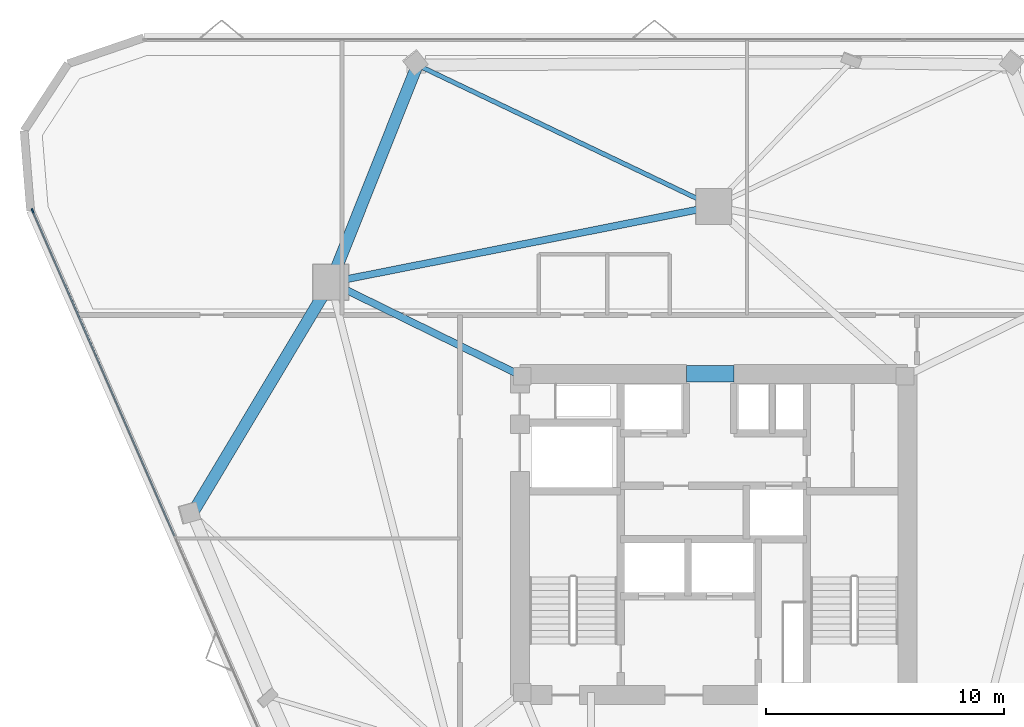
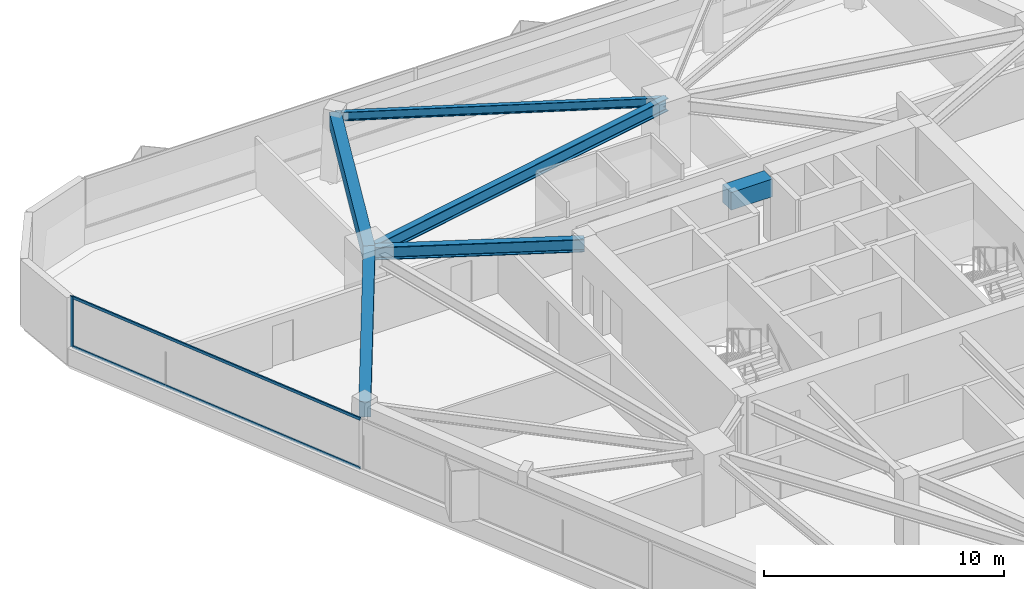
# One storey, part 5 of 16: 6 beams, 3 members, 1 element without a shape of its own.
"""IFC4 building model written with IfcOpenShell, lengths in metres."""

from ifc_helpers import new_model, si_unit, direction, frame, origin, origin_2d, place, context, subcontext, project, spatial, rectangle, i_section, extrude, material, layer, layer_set, material_profile, profile_set, type_object, element, aggregate, save


model = new_model("IFC4")

# Units and contexts
model_context = context("Model", 3, precision=1e-05, world=origin(), true_north=direction((0.0, 1.0)))
body_context = subcontext(model_context, "Body", "Model", "MODEL_VIEW")
ifc_project = project(units=[si_unit("LENGTHUNIT", "METRE"), si_unit("AREAUNIT", "SQUARE_METRE"), si_unit("VOLUMEUNIT", "CUBIC_METRE"), si_unit("PLANEANGLEUNIT", "RADIAN"), si_unit("MASSUNIT", "GRAM", prefix="KILO")], contexts=[model_context])

# Site, building, storey
site_placement = place(None, origin())
site = spatial("IfcSite", under=ifc_project, at=site_placement, CompositionType="ELEMENT")
building_placement = place(site_placement, origin())
building = spatial("IfcBuilding", under=site, at=building_placement, Name="Talyreon Biosciences Tower", CompositionType="ELEMENT")
storey_placement = place(building_placement, frame((0.0, 0.0, 134.5)))
storey = spatial("IfcBuildingStorey", under=building, at=storey_placement, Name="L35", CompositionType="ELEMENT", Elevation=134.5)

# Curtain wall, members
ifc_material_1 = material(Name="Thermally broken aluminium and low-E glazing", Category="aluminium")
ifc_layer = layer(ifc_material_1, 0.18505859375)
ifc_layer_set = layer_set([ifc_layer], Name="Thermally broken aluminium and low-E glazing")
curtain_wall_type = type_object("IfcCurtainWallType", Name="CurtainWall_Zone3Bioprocess", PredefinedType="NOTDEFINED", material=ifc_layer_set)
curtain_wall_placement = place(storey_placement, origin())
curtain_wall = element("IfcCurtainWall", 1, at=curtain_wall_placement, inside=storey, type_object=curtain_wall_type, Name="L35 Unitised Curtain Wall FCW-L35-00", PredefinedType="NOTDEFINED")
ifc_material_2 = material(Name="Anodised thermally broken aluminium", Category="aluminium")
ifc_material_profile_1 = material_profile(ifc_material_2, rectangle(XDim=0.06494140625, YDim=0.179931640625, at=origin_2d()), Name="ALUM MULLION 65x180")
ifc_profile_set_1 = profile_set([ifc_material_profile_1], Name="Anodised thermally broken aluminium")
member_type_1 = type_object("IfcMemberType", Name="CWMullion_65x180", PredefinedType="MULLION", material=ifc_profile_set_1)
member_1_placement = place(storey_placement, frame((37.362548828125, 81.609130859375, 0.81005859375), z_axis=(0.0, 0.0, 1.0), x_axis=(-0.916566441856, -0.399882429801, 0.0)))
member_1 = element("IfcMember", 2, at=member_1_placement, type_object=member_type_1, Name="CW4 mullion 5", PredefinedType="MULLION", context=body_context, shape_type="SweptSolid", body=[
    extrude(rectangle(XDim=0.06494140625, YDim=0.179931640625, at=origin_2d()), origin(), (0.0, 0.0, 1.0), 2.56494140625),
])
ifc_material_profile_2 = material_profile(ifc_material_2, rectangle(XDim=0.06494140625, YDim=0.139892578125, at=origin_2d()), Name="ALUM TRANSOM 65x140")
ifc_profile_set_2 = profile_set([ifc_material_profile_2], Name="Anodised thermally broken aluminium")
member_type_2 = type_object("IfcMemberType", Name="CWTransom_65x140", PredefinedType="USERDEFINED", material=ifc_profile_set_2)
member_2_placement = place(storey_placement, frame((43.325927734375, 67.940185546875, 0.842529296875), z_axis=(-0.39988306059, 0.916566166653, 0.0), x_axis=(-0.916566166653, -0.39988306059, 0.0)))
member_2 = element("IfcMember", 3, at=member_2_placement, type_object=member_type_2, Name="CW4 transom 4.1", ObjectType="TRANSOM", PredefinedType="USERDEFINED", context=body_context, shape_type="SweptSolid", body=[
    extrude(rectangle(XDim=0.06494140625, YDim=0.139892578125, at=origin_2d()), origin(), (0.0, 0.0, 1.0), 14.88037109375),
])
member_3_placement = place(storey_placement, frame((43.325927734375, 67.940185546875, 3.342529296875), z_axis=(-0.39988306059, 0.916566166653, 0.0), x_axis=(-0.916566166653, -0.39988306059, 0.0)))
member_3 = element("IfcMember", 4, at=member_3_placement, type_object=member_type_2, Name="CW4 transom 4.2", ObjectType="TRANSOM", PredefinedType="USERDEFINED", context=body_context, shape_type="SweptSolid", body=[
    extrude(rectangle(XDim=0.06494140625, YDim=0.139892578125, at=origin_2d()), origin(), (0.0, 0.0, 1.0), 14.88037109375),
])
aggregate(curtain_wall, [member_1, member_2, member_3])

# Beams
ifc_material_3 = material(Name="Concrete C60/75", Category="concrete")
ifc_material_profile_3 = material_profile(ifc_material_3, rectangle(XDim=0.699951171875, YDim=0.89990234375, at=origin_2d()), Name="RCB 700x900")
ifc_profile_set_3 = profile_set([ifc_material_profile_3], Name="Concrete C60/75")
beam_type_1 = type_object("IfcBeamType", Name="CoreCouplingLintel_700x900", PredefinedType="LINTEL", material=ifc_profile_set_3)
beam_1_placement = place(storey_placement, frame((64.85009765625, 74.75, 2.925048828125), z_axis=(1.0, 0.0, 0.0), x_axis=(0.0, 1.0, 0.0)))
element("IfcBeam", 5, at=beam_1_placement, inside=storey, type_object=beam_type_1, Name="L35 Core Coupling Lintel", PredefinedType="LINTEL", context=body_context, shape_type="SweptSolid", body=[
    extrude(rectangle(XDim=0.699951171875, YDim=0.89990234375, at=origin_2d()), origin(), (0.0, 0.0, 1.0), 2.0),
])
ifc_material_4 = material(Name="Precast concrete C45/55", Category="concrete")
ifc_material_profile_4 = material_profile(ifc_material_4, rectangle(XDim=0.5, YDim=0.780029296875, at=origin_2d()), Name="RCB 500x780")
ifc_profile_set_4 = profile_set([ifc_material_profile_4], Name="Precast concrete C45/55")
beam_type_2 = type_object("IfcBeamType", Name="ExpressedSpandrel_500x780", PredefinedType="SPANDREL", material=ifc_profile_set_4)
beam_2_placement = place(storey_placement, frame((53.5419921875, 87.736083984375, 2.985107421875), z_axis=(-0.370453406097, -0.928851050444, 0.0), x_axis=(0.928851050444, -0.370453406097, 0.0)))
element("IfcBeam", 6, at=beam_2_placement, inside=storey, type_object=beam_type_2, Name="L35 Expressed Horizontal Concrete Spandrel 08", PredefinedType="SPANDREL", context=body_context, shape_type="SweptSolid", body=[
    extrude(rectangle(XDim=0.5, YDim=0.780029296875, at=origin_2d()), origin(), (0.0, 0.0, 1.0), 9.83740234375),
])
beam_3_placement = place(storey_placement, frame((49.897705078125, 78.5986328125, 2.985107421875), z_axis=(-0.51390572923, -0.857846665474, 0.0), x_axis=(0.857846665474, -0.51390572923, 0.0)))
element("IfcBeam", 7, at=beam_3_placement, inside=storey, type_object=beam_type_2, Name="L35 Expressed Horizontal Concrete Spandrel 09", PredefinedType="SPANDREL", context=body_context, shape_type="SweptSolid", body=[
    extrude(rectangle(XDim=0.5, YDim=0.780029296875, at=origin_2d()), origin(), (0.0, 0.0, 1.0), 11.3203125),
])
ifc_material_5 = material(Name="Steel SM355", Category="steel")
ifc_material_profile_5 = material_profile(ifc_material_5, i_section(OverallWidth=0.300048828125, OverallDepth=0.64990234375, WebThickness=0.01611328125, FlangeThickness=0.031005859375, FilletRadius=0.027099609375, at=origin_2d()), Name="HE650B")
ifc_profile_set_5 = profile_set([ifc_material_profile_5], Name="Steel SM355")
beam_type_3 = type_object("IfcBeamType", Name="SteelBeam_HE650B", PredefinedType="BEAM", material=ifc_profile_set_5)
beam_4_placement = place(storey_placement, frame((66.0, 81.788818359375, 3.050048828125), z_axis=(-0.980933730698, -0.194342522311, 0.0), x_axis=(0.194342522311, -0.980933730698, 0.0)))
element("IfcBeam", 8, at=beam_4_placement, inside=storey, type_object=beam_type_3, Name="L35 Mega-Ring Girder 4", PredefinedType="BEAM", context=body_context, shape_type="SweptSolid", body=[
    extrude(i_section(OverallWidth=0.300048828125, OverallDepth=0.64990234375, WebThickness=0.01611328125, FlangeThickness=0.031005859375, FilletRadius=0.027099609375, at=origin_2d()), origin(), (0.0, 0.0, 1.0), 16.415283203125),
])
beam_5_placement = place(storey_placement, frame((57.949951171875, 74.64990234375, 3.050048828125), z_axis=(-0.897852360314, 0.440296648952, 0.0), x_axis=(-0.440296648952, -0.897852360314, 0.0)))
element("IfcBeam", 9, at=beam_5_placement, inside=storey, type_object=beam_type_3, Name="L35 Radial Primary Girder 5", PredefinedType="BEAM", context=body_context, shape_type="SweptSolid", body=[
    extrude(i_section(OverallWidth=0.300048828125, OverallDepth=0.64990234375, WebThickness=0.01611328125, FlangeThickness=0.031005859375, FilletRadius=0.027099609375, at=origin_2d()), origin(), (0.0, 0.0, 1.0), 8.96826171875),
])
ifc_material_profile_6 = material_profile(ifc_material_5, i_section(OverallWidth=0.18994140625, OverallDepth=0.449951171875, WebThickness=0.009521484375, FlangeThickness=0.0146484375, FilletRadius=0.02099609375, at=origin_2d()), Name="IPE450")
ifc_profile_set_6 = profile_set([ifc_material_profile_6], Name="Steel SM355")
beam_type_4 = type_object("IfcBeamType", Name="SteelJoist_IPE450", PredefinedType="JOIST", material=ifc_profile_set_6)
beam_6_placement = place(storey_placement, frame((66.0, 81.788818359375, 3.14990234375), z_axis=(-0.902441660765, 0.430812080745, 0.0), x_axis=(-0.430812080745, -0.902441660765, 0.0)))
element("IfcBeam", 10, at=beam_6_placement, inside=storey, type_object=beam_type_4, Name="L35 Radial Composite Floor Joist PC-N2", PredefinedType="JOIST", context=body_context, shape_type="SweptSolid", body=[
    extrude(i_section(OverallWidth=0.18994140625, OverallDepth=0.449951171875, WebThickness=0.009521484375, FlangeThickness=0.0146484375, FilletRadius=0.02099609375, at=origin_2d()), origin(), (0.0, 0.0, 1.0), 13.8046875),
])

save(model, "model.ifc")
